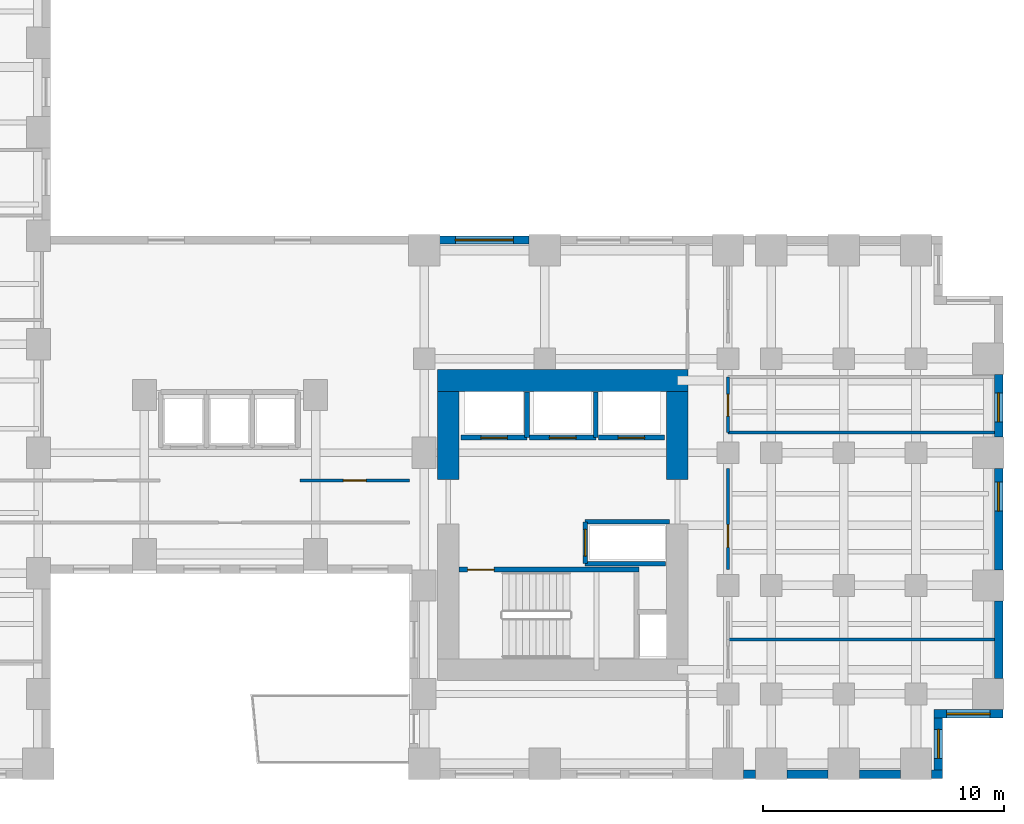
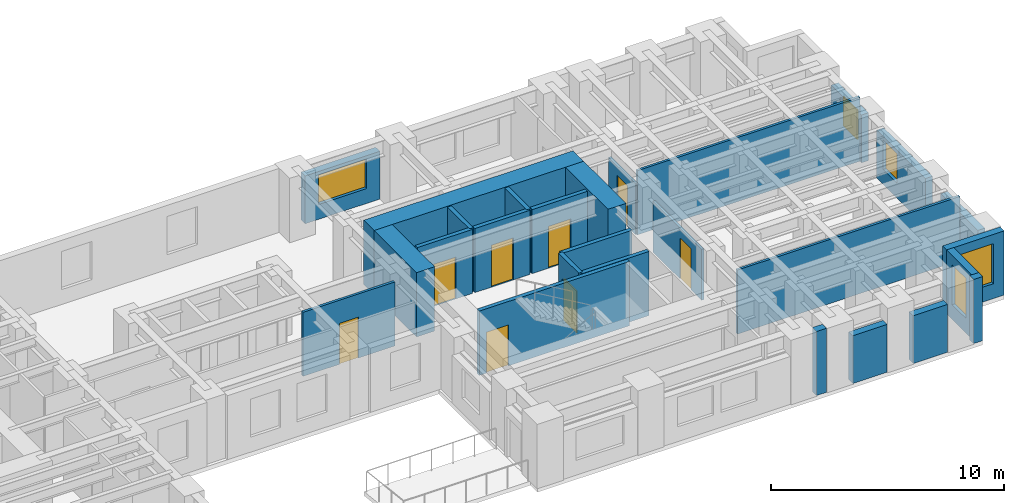
# One storey, part 7 of 12: 27 walls, 8 doors, 5 windows, 13 openings.
"""IFC4 building model written with IfcOpenShell, lengths in metres."""

from ifc_helpers import new_model, si_unit, direction, frame, frame_2d, origin, place, context, subcontext, project, spatial, rectangle, extrude, source, transform, mapped, material, layer, layer_set, type_object, element, fill, save


model = new_model("IFC4")

# Units and contexts
model_context = context("Model", 3, precision=1e-05, world=origin(), true_north=direction((0.0, 1.0)))
body_context = subcontext(model_context, "Body", "Model", "MODEL_VIEW")
ifc_project = project(units=[si_unit("LENGTHUNIT", "METRE"), si_unit("AREAUNIT", "SQUARE_METRE"), si_unit("VOLUMEUNIT", "CUBIC_METRE"), si_unit("PLANEANGLEUNIT", "RADIAN"), si_unit("MASSUNIT", "GRAM", prefix="KILO")], contexts=[model_context])

# Site, building, storey
site_placement = place(None, origin())
site = spatial("IfcSite", under=ifc_project, at=site_placement, CompositionType="ELEMENT")
building_placement = place(site_placement, origin())
building = spatial("IfcBuilding", under=site, at=building_placement, Name="Kharzan Plaza Tower", CompositionType="ELEMENT")
storey_placement = place(building_placement, frame((0.0, 0.0, 33.300048828125)))
storey = spatial("IfcBuildingStorey", under=building, at=storey_placement, Name="L08", CompositionType="ELEMENT", Elevation=33.300048828125)

# Wall, opening, window
ifc_material_1 = material(Name="Concrete C40/50", Category="concrete")
ifc_layer_1 = layer(ifc_material_1, 0.35009765625)
ifc_layer_set_1 = layer_set([ifc_layer_1], Name="Concrete C40/50")
wall_type_1 = type_object("IfcWallType", Name="WL-EXT-MAS-Z1", PredefinedType="SOLIDWALL", material=ifc_layer_set_1)
wall_1_placement = place(storey_placement, frame((56.324951171875, 0.347900390625, 0.0), z_axis=(0.0, 0.0, 1.0), x_axis=(0.0, 1.0, 0.0)))
wall_1 = element("IfcWall", 1, at=wall_1_placement, inside=storey, type_object=wall_type_1, Name="L08 Masonry-Frame Exterior Wall 39", PredefinedType="SOLIDWALL", context=body_context, shape_type="SweptSolid", body=[
    extrude(rectangle(XDim=2.154052734375, YDim=0.35009765625, at=frame_2d((1.0771484375, 0.0))), origin(), (0.0, 0.0, 1.0), 3.364990234375),
])
opening_1_placement = place(wall_1_placement, frame((0.47705078125, 0.0, 0.780029296875)))
opening_1 = element("IfcOpeningElement", 2, at=opening_1_placement, cuts=wall_1, Name="Opening W3", PredefinedType="OPENING", context=body_context, shape_type="SweptSolid", body=[
    extrude(rectangle(XDim=1.199951171875, YDim=2.10009765625, at=frame_2d((0.60009765625, 1.050048828125))), frame((0.0, 0.18505859375, 0.0), z_axis=(0.0, -1.0, 0.0), x_axis=(1.0, 0.0, 0.0)), (0.0, 0.0, 1.0), 0.3701171875),
])
ifc_material_2 = material(Name="Low-E Double Glazing", Category="glass")
window_type_1 = type_object("IfcWindowType", Name="WN-REC-1200x2100", PartitioningType="SINGLE_PANEL", PredefinedType="WINDOW", material=ifc_material_2)
shared_shape_1 = source(origin(), body_context, "Body", "SweptSolid", [
    extrude(rectangle(XDim=1.199951171875, YDim=2.10009765625, at=frame_2d((0.60009765625, 1.050048828125))), frame((0.0, 0.030029296875, 0.0), z_axis=(0.0, -1.0, 0.0), x_axis=(1.0, 0.0, 0.0)), (0.0, 0.0, 1.0), 0.06005859375),
])
window_1_placement = place(opening_1_placement, origin())
window_1 = element("IfcWindow", 3, at=window_1_placement, inside=storey, type_object=window_type_1, Name="L08 Recessed Solar-Control Window 39-1", OverallHeight=2.10009765625, OverallWidth=1.199951171875, PartitioningType="SINGLE_PANEL", PredefinedType="WINDOW", context=body_context, shape_type="MappedRepresentation", body=[
    mapped(shared_shape_1, transform((0.0, 0.0, 0.0), x_axis=(1.0, 0.0, 0.0), y_axis=(0.0, 1.0, 0.0), z_axis=(0.0, 0.0, 1.0))),
])
fill(opening_1, window_1)

wall_2_placement = place(storey_placement, frame((56.14990234375, 2.675048828125, 0.0), z_axis=(0.0, 0.0, 1.0), x_axis=(1.0, 0.0, 0.0)))
wall_2 = element("IfcWall", 4, at=wall_2_placement, inside=storey, type_object=wall_type_1, Name="L08 Masonry-Frame Exterior Wall 40", PredefinedType="SOLIDWALL", context=body_context, shape_type="SweptSolid", body=[
    extrude(rectangle(XDim=2.85009765625, YDim=0.35009765625, at=frame_2d((1.425048828125, 0.0))), origin(), (0.0, 0.0, 1.0), 3.364990234375),
])
opening_2_placement = place(wall_2_placement, frame((0.52490234375, 0.0, 0.780029296875)))
opening_2 = element("IfcOpeningElement", 5, at=opening_2_placement, cuts=wall_2, Name="Opening W1", PredefinedType="OPENING", context=body_context, shape_type="SweptSolid", body=[
    extrude(rectangle(XDim=1.800048828125, YDim=2.10009765625, at=frame_2d((0.89990234375, 1.050048828125))), frame((0.0, 0.18505859375, 0.0), z_axis=(0.0, -1.0, 0.0), x_axis=(1.0, 0.0, 0.0)), (0.0, 0.0, 1.0), 0.3701171875),
])
window_type_2 = type_object("IfcWindowType", Name="WN-REC-1800x2100", PartitioningType="SINGLE_PANEL", PredefinedType="WINDOW", material=ifc_material_2)
shared_shape_2 = source(origin(), body_context, "Body", "SweptSolid", [
    extrude(rectangle(XDim=1.800048828125, YDim=2.10009765625, at=frame_2d((0.89990234375, 1.050048828125))), frame((0.0, 0.030029296875, 0.0), z_axis=(0.0, -1.0, 0.0), x_axis=(1.0, 0.0, 0.0)), (0.0, 0.0, 1.0), 0.06005859375),
])
window_2_placement = place(opening_2_placement, origin())
window_2 = element("IfcWindow", 6, at=window_2_placement, inside=storey, type_object=window_type_2, Name="L08 Recessed Solar-Control Window 40-1", OverallHeight=2.10009765625, OverallWidth=1.800048828125, PartitioningType="SINGLE_PANEL", PredefinedType="WINDOW", context=body_context, shape_type="MappedRepresentation", body=[
    mapped(shared_shape_2, transform((0.0, 0.0, 0.0), x_axis=(1.0, 0.0, 0.0), y_axis=(0.0, 1.0, 0.0), z_axis=(0.0, 0.0, 1.0))),
])
fill(opening_2, window_2)

wall_3_placement = place(storey_placement, frame((58.824951171875, 8.64794921875, 0.0), z_axis=(0.0, 0.0, 1.0), x_axis=(0.0, 1.0, 0.0)))
wall_3 = element("IfcWall", 7, at=wall_3_placement, inside=storey, type_object=wall_type_1, Name="L08 Masonry-Frame Exterior Wall 42", PredefinedType="SOLIDWALL", context=body_context, shape_type="SweptSolid", body=[
    extrude(rectangle(XDim=4.2041015625, YDim=0.35009765625, at=frame_2d((2.10205078125, 0.0))), origin(), (0.0, 0.0, 1.0), 2.510009765625),
])
opening_3_placement = place(wall_3_placement, frame((2.436767578125, 0.0, 0.780029296875)))
opening_3 = element("IfcOpeningElement", 8, at=opening_3_placement, cuts=wall_3, Name="Opening W3", PredefinedType="OPENING", context=body_context, shape_type="SweptSolid", body=[
    extrude(rectangle(XDim=1.199951171875, YDim=1.550048828125, at=frame_2d((0.60009765625, 0.77490234375))), frame((0.0, 0.18505859375, 0.0), z_axis=(0.0, -1.0, 0.0), x_axis=(1.0, 0.0, 0.0)), (0.0, 0.0, 1.0), 0.3701171875),
])
shared_shape_3 = source(origin(), body_context, "Body", "SweptSolid", [
    extrude(rectangle(XDim=1.199951171875, YDim=1.550048828125, at=frame_2d((0.60009765625, 0.77490234375))), frame((0.0, 0.030029296875, 0.0), z_axis=(0.0, -1.0, 0.0), x_axis=(1.0, 0.0, 0.0)), (0.0, 0.0, 1.0), 0.06005859375),
])
window_3_placement = place(opening_3_placement, origin())
window_3 = element("IfcWindow", 9, at=window_3_placement, inside=storey, type_object=window_type_1, Name="L08 Recessed Solar-Control Window 42-1", OverallHeight=1.550048828125, OverallWidth=1.199951171875, PartitioningType="SINGLE_PANEL", PredefinedType="WINDOW", context=body_context, shape_type="MappedRepresentation", body=[
    mapped(shared_shape_3, transform((0.0, 0.0, 0.0), x_axis=(1.0, 0.0, 0.0), y_axis=(0.0, 1.0, 0.0), z_axis=(0.0, 0.0, 1.0))),
])
fill(opening_3, window_3)

wall_4_placement = place(storey_placement, frame((58.824951171875, 14.14794921875, 0.0), z_axis=(0.0, 0.0, 1.0), x_axis=(0.0, 1.0, 0.0)))
wall_4 = element("IfcWall", 10, at=wall_4_placement, inside=storey, type_object=wall_type_1, Name="L08 Masonry-Frame Exterior Wall 43", PredefinedType="SOLIDWALL", context=body_context, shape_type="SweptSolid", body=[
    extrude(rectangle(XDim=2.60400390625, YDim=0.35009765625, at=frame_2d((1.302001953125, 0.0))), origin(), (0.0, 0.0, 1.0), 2.510009765625),
])
opening_4_placement = place(wall_4_placement, frame((0.63330078125, 0.0, 0.780029296875)))
opening_4 = element("IfcOpeningElement", 11, at=opening_4_placement, cuts=wall_4, Name="Opening W3", PredefinedType="OPENING", context=body_context, shape_type="SweptSolid", body=[
    extrude(rectangle(XDim=1.199951171875, YDim=1.550048828125, at=frame_2d((0.60009765625, 0.77490234375))), frame((0.0, 0.18505859375, 0.0), z_axis=(0.0, -1.0, 0.0), x_axis=(1.0, 0.0, 0.0)), (0.0, 0.0, 1.0), 0.3701171875),
])
window_4_placement = place(opening_4_placement, origin())
window_4 = element("IfcWindow", 12, at=window_4_placement, inside=storey, type_object=window_type_1, Name="L08 Recessed Solar-Control Window 43-1", OverallHeight=1.550048828125, OverallWidth=1.199951171875, PartitioningType="SINGLE_PANEL", PredefinedType="WINDOW", context=body_context, shape_type="MappedRepresentation", body=[
    mapped(shared_shape_3, transform((0.0, 0.0, 0.0), x_axis=(1.0, 0.0, 0.0), y_axis=(0.0, 1.0, 0.0), z_axis=(0.0, 0.0, 1.0))),
])
fill(opening_4, window_4)

wall_5_placement = place(storey_placement, frame((39.35205078125, 22.324951171875, 0.0), z_axis=(0.0, 0.0, 1.0), x_axis=(-1.0, 0.0, 0.0)))
wall_5 = element("IfcWall", 13, at=wall_5_placement, inside=storey, type_object=wall_type_1, Name="L08 Masonry-Frame Exterior Wall 52", PredefinedType="SOLIDWALL", context=body_context, shape_type="SweptSolid", body=[
    extrude(rectangle(XDim=3.7041015625, YDim=0.35009765625, at=frame_2d((1.85205078125, 0.0))), origin(), (0.0, 0.0, 1.0), 2.510009765625),
])
opening_5_placement = place(wall_5_placement, frame((0.652099609375, 0.0, 0.780029296875)))
opening_5 = element("IfcOpeningElement", 14, at=opening_5_placement, cuts=wall_5, Name="Opening W2", PredefinedType="OPENING", context=body_context, shape_type="SweptSolid", body=[
    extrude(rectangle(XDim=2.39990234375, YDim=1.550048828125, at=frame_2d((1.199951171875, 0.77490234375))), frame((0.0, 0.18505859375, 0.0), z_axis=(0.0, -1.0, 0.0), x_axis=(1.0, 0.0, 0.0)), (0.0, 0.0, 1.0), 0.3701171875),
])
window_type_3 = type_object("IfcWindowType", Name="WN-REC-2400x2100", PartitioningType="SINGLE_PANEL", PredefinedType="WINDOW", material=ifc_material_2)
shared_shape_4 = source(origin(), body_context, "Body", "SweptSolid", [
    extrude(rectangle(XDim=2.39990234375, YDim=1.550048828125, at=frame_2d((1.199951171875, 0.77490234375))), frame((0.0, 0.030029296875, 0.0), z_axis=(0.0, -1.0, 0.0), x_axis=(1.0, 0.0, 0.0)), (0.0, 0.0, 1.0), 0.06005859375),
])
window_5_placement = place(opening_5_placement, origin())
window_5 = element("IfcWindow", 15, at=window_5_placement, inside=storey, type_object=window_type_3, Name="L08 Wide Recessed Solar-Control Window 52-1", OverallHeight=1.550048828125, OverallWidth=2.39990234375, PartitioningType="SINGLE_PANEL", PredefinedType="WINDOW", context=body_context, shape_type="MappedRepresentation", body=[
    mapped(shared_shape_4, transform((0.0, 0.0, 0.0), x_axis=(1.0, 0.0, 0.0), y_axis=(0.0, 1.0, 0.0), z_axis=(0.0, 0.0, 1.0))),
])
fill(opening_5, window_5)

# Wall, opening, door
ifc_material_3 = material(Name="Fire-Rated Gypsum Board Partition", Category="gypsum")
ifc_layer_2 = layer(ifc_material_3, 0.125)
ifc_layer_set_2 = layer_set([ifc_layer_2], Name="Fire-Rated Gypsum Board Partition")
wall_type_2 = type_object("IfcWallType", Name="WL-INT-PART-125", PredefinedType="PARTITIONING", material=ifc_layer_set_2)
wall_6_placement = place(storey_placement, frame((47.60009765625, 8.659912109375, 0.0), z_axis=(0.0, 0.0, 1.0), x_axis=(0.0, 1.0, 0.0)))
wall_6 = element("IfcWall", 16, at=wall_6_placement, inside=storey, type_object=wall_type_2, Name="L08 Interior Partition SH-B3W1-S2", PredefinedType="PARTITIONING", context=body_context, shape_type="SweptSolid", body=[
    extrude(rectangle(XDim=4.18017578125, YDim=0.125, at=frame_2d((2.090087890625, 0.0))), origin(), (0.0, 0.0, 1.0), 2.669921875),
])
opening_6_placement = place(wall_6_placement, frame((0.9150390625, 0.0, 0.0)))
opening_6 = element("IfcOpeningElement", 17, at=opening_6_placement, cuts=wall_6, Name="Opening OD1", PredefinedType="OPENING", context=body_context, shape_type="SweptSolid", body=[
    extrude(rectangle(XDim=0.949951171875, YDim=2.14990234375, at=frame_2d((0.47509765625, 1.074951171875))), frame((0.0, 0.072509765625, 0.0), z_axis=(0.0, -1.0, 0.0), x_axis=(1.0, 0.0, 0.0)), (0.0, 0.0, 1.0), 0.14501953125),
])
ifc_material_4 = material(Name="Acoustic Solid-Core Stained Oak", Category="timber")
door_type_1 = type_object("IfcDoorType", Name="DR-OFF-SINGLE", OperationType="NOTDEFINED", PredefinedType="DOOR", material=ifc_material_4)
shared_shape_5 = source(origin(), body_context, "Body", "SweptSolid", [
    extrude(rectangle(XDim=0.949951171875, YDim=2.14990234375, at=frame_2d((0.47509765625, 1.074951171875))), frame((0.0, 0.02490234375, 0.0), z_axis=(0.0, -1.0, 0.0), x_axis=(1.0, 0.0, 0.0)), (0.0, 0.0, 1.0), 0.050048828125),
])
door_1_placement = place(opening_6_placement, origin())
door_1 = element("IfcDoor", 18, at=door_1_placement, inside=storey, type_object=door_type_1, Name="L08 Wing B Office 2 Door", OperationType="SINGLE_SWING_RIGHT", OverallHeight=2.14990234375, OverallWidth=0.949951171875, PredefinedType="DOOR", context=body_context, shape_type="MappedRepresentation", body=[
    mapped(shared_shape_5, transform((0.0, 0.0, 0.0), x_axis=(1.0, 0.0, 0.0), y_axis=(0.0, 1.0, 0.0), z_axis=(0.0, 0.0, 1.0))),
])
fill(opening_6, door_1)

wall_7_placement = place(storey_placement, frame((47.60009765625, 14.35009765625, 0.0), z_axis=(0.0, 0.0, 1.0), x_axis=(0.0, 1.0, 0.0)))
wall_7 = element("IfcWall", 19, at=wall_7_placement, inside=storey, type_object=wall_type_2, Name="L08 Interior Partition SH-B3WC", PredefinedType="PARTITIONING", context=body_context, shape_type="SweptSolid", body=[
    extrude(rectangle(XDim=2.2998046875, YDim=0.125, at=frame_2d((1.14990234375, 0.0))), origin(), (0.0, 0.0, 1.0), 2.669921875),
])
opening_7_placement = place(wall_7_placement, frame((0.675048828125, 0.0, 0.0)))
opening_7 = element("IfcOpeningElement", 20, at=opening_7_placement, cuts=wall_7, Name="Opening WD1", PredefinedType="OPENING", context=body_context, shape_type="SweptSolid", body=[
    extrude(rectangle(XDim=0.89990234375, YDim=2.14990234375, at=frame_2d((0.449951171875, 1.074951171875))), frame((0.0, 0.072509765625, 0.0), z_axis=(0.0, -1.0, 0.0), x_axis=(1.0, 0.0, 0.0)), (0.0, 0.0, 1.0), 0.14501953125),
])
ifc_material_5 = material(Name="Moisture-Resistant Fire-Rated Laminate", Category="timber")
door_type_2 = type_object("IfcDoorType", Name="DR-WC-900", OperationType="NOTDEFINED", PredefinedType="DOOR", material=ifc_material_5)
shared_shape_6 = source(origin(), body_context, "Body", "SweptSolid", [
    extrude(rectangle(XDim=0.89990234375, YDim=2.14990234375, at=frame_2d((0.449951171875, 1.074951171875))), frame((0.0, 0.02490234375, 0.0), z_axis=(0.0, -1.0, 0.0), x_axis=(1.0, 0.0, 0.0)), (0.0, 0.0, 1.0), 0.050048828125),
])
door_2_placement = place(opening_7_placement, origin())
door_2 = element("IfcDoor", 21, at=door_2_placement, inside=storey, type_object=door_type_2, Name="L08 Wing B Washroom Door", OperationType="SINGLE_SWING_RIGHT", OverallHeight=2.14990234375, OverallWidth=0.89990234375, PredefinedType="DOOR", context=body_context, shape_type="MappedRepresentation", body=[
    mapped(shared_shape_6, transform((0.0, 0.0, 0.0), x_axis=(1.0, 0.0, 0.0), y_axis=(0.0, 1.0, 0.0), z_axis=(0.0, 0.0, 1.0))),
])
fill(opening_7, door_2)

wall_8_placement = place(storey_placement, frame((29.85009765625, 12.35009765625, 0.0), z_axis=(0.0, 0.0, 1.0), x_axis=(1.0, 0.0, 0.0)))
wall_8 = element("IfcWall", 22, at=wall_8_placement, inside=storey, type_object=wall_type_2, Name="L08 Interior Partition SH-SPNE1", PredefinedType="PARTITIONING", context=body_context, shape_type="SweptSolid", body=[
    extrude(rectangle(XDim=4.5498046875, YDim=0.125, at=frame_2d((2.27490234375, 0.0))), origin(), (0.0, 0.0, 1.0), 3.364990234375),
])
opening_8_placement = place(wall_8_placement, frame((1.800048828125, 0.0, 0.0)))
opening_8 = element("IfcOpeningElement", 23, at=opening_8_placement, cuts=wall_8, Name="Opening OD1", PredefinedType="OPENING", context=body_context, shape_type="SweptSolid", body=[
    extrude(rectangle(XDim=0.949951171875, YDim=2.14990234375, at=frame_2d((0.47509765625, 1.074951171875))), frame((0.0, 0.072509765625, 0.0), z_axis=(0.0, -1.0, 0.0), x_axis=(1.0, 0.0, 0.0)), (0.0, 0.0, 1.0), 0.14501953125),
])
door_3_placement = place(opening_8_placement, origin())
door_3 = element("IfcDoor", 24, at=door_3_placement, inside=storey, type_object=door_type_1, Name="L08 North-East Spine Door", OperationType="SINGLE_SWING_LEFT", OverallHeight=2.14990234375, OverallWidth=0.949951171875, PredefinedType="DOOR", context=body_context, shape_type="MappedRepresentation", body=[
    mapped(shared_shape_5, transform((0.0, 0.0, 0.0), x_axis=(1.0, 0.0, 0.0), y_axis=(0.0, 1.0, 0.0), z_axis=(0.0, 0.0, 1.0))),
])
fill(opening_8, door_3)

ifc_layer_3 = layer(ifc_material_1, 0.199951171875)
ifc_layer_set_3 = layer_set([ifc_layer_3], Name="Concrete C40/50")
wall_type_3 = type_object("IfcWallType", Name="WL-INT-SHAFT-200", PredefinedType="PARTITIONING", material=ifc_layer_set_3)
wall_9_placement = place(storey_placement, frame((36.530029296875, 14.1298828125, 0.0), z_axis=(0.0, 0.0, 1.0), x_axis=(1.0, 0.0, 0.0)))
wall_9 = element("IfcWall", 25, at=wall_9_placement, inside=storey, type_object=wall_type_3, Name="L08 Interior Partition SHF-PL-L1-S", PredefinedType="PARTITIONING", context=body_context, shape_type="SweptSolid", body=[
    extrude(rectangle(XDim=2.739990234375, YDim=0.199951171875, at=frame_2d((1.3701171875, 0.0))), origin(), (0.0, 0.0, 1.0), 3.364990234375),
])
opening_9_placement = place(wall_9_placement, frame((0.820068359375, 0.0, 0.0)))
opening_9 = element("IfcOpeningElement", 26, at=opening_9_placement, cuts=wall_9, Name="Opening LD", PredefinedType="OPENING", context=body_context, shape_type="SweptSolid", body=[
    extrude(rectangle(XDim=1.10009765625, YDim=2.199951171875, at=frame_2d((0.550048828125, 1.10009765625))), frame((0.0, 0.10986328125, 0.0), z_axis=(0.0, -1.0, 0.0), x_axis=(1.0, 0.0, 0.0)), (0.0, 0.0, 1.0), 0.219970703125),
])
ifc_material_6 = material(Name="Brushed Stainless Steel", Category="steel")
door_type_3 = type_object("IfcDoorType", Name="DR-LIFT-SLIDE", OperationType="SLIDING_TO_LEFT", PredefinedType="DOOR", material=ifc_material_6)
shared_shape_7 = source(origin(), body_context, "Body", "SweptSolid", [
    extrude(rectangle(XDim=1.10009765625, YDim=2.199951171875, at=frame_2d((0.550048828125, 1.10009765625))), frame((0.0, 0.02490234375, 0.0), z_axis=(0.0, -1.0, 0.0), x_axis=(1.0, 0.0, 0.0)), (0.0, 0.0, 1.0), 0.050048828125),
])
door_4_placement = place(opening_9_placement, origin())
door_4 = element("IfcDoor", 27, at=door_4_placement, inside=storey, type_object=door_type_3, Name="L08 Low-Rise Passenger Lift PL-L1 Sliding Landing Door", OperationType="SLIDING_TO_LEFT", OverallHeight=2.199951171875, OverallWidth=1.10009765625, PredefinedType="DOOR", context=body_context, shape_type="MappedRepresentation", body=[
    mapped(shared_shape_7, transform((0.0, 0.0, 0.0), x_axis=(1.0, 0.0, 0.0), y_axis=(0.0, 1.0, 0.0), z_axis=(0.0, 0.0, 1.0))),
])
fill(opening_9, door_4)

wall_10_placement = place(storey_placement, frame((39.3798828125, 14.1298828125, 0.0), z_axis=(0.0, 0.0, 1.0), x_axis=(1.0, 0.0, 0.0)))
wall_10 = element("IfcWall", 28, at=wall_10_placement, inside=storey, type_object=wall_type_3, Name="L08 Interior Partition SHF-PL-L2-S", PredefinedType="PARTITIONING", context=body_context, shape_type="SweptSolid", body=[
    extrude(rectangle(XDim=2.740234375, YDim=0.199951171875, at=frame_2d((1.3701171875, 0.0))), origin(), (0.0, 0.0, 1.0), 3.364990234375),
])
opening_10_placement = place(wall_10_placement, frame((0.820068359375, 0.0, 0.0)))
opening_10 = element("IfcOpeningElement", 29, at=opening_10_placement, cuts=wall_10, Name="Opening LD", PredefinedType="OPENING", context=body_context, shape_type="SweptSolid", body=[
    extrude(rectangle(XDim=1.10009765625, YDim=2.199951171875, at=frame_2d((0.550048828125, 1.10009765625))), frame((0.0, 0.10986328125, 0.0), z_axis=(0.0, -1.0, 0.0), x_axis=(1.0, 0.0, 0.0)), (0.0, 0.0, 1.0), 0.219970703125),
])
door_5_placement = place(opening_10_placement, origin())
door_5 = element("IfcDoor", 30, at=door_5_placement, inside=storey, type_object=door_type_3, Name="L08 Low-Rise Passenger Lift PL-L2 Sliding Landing Door", OperationType="SLIDING_TO_LEFT", OverallHeight=2.199951171875, OverallWidth=1.10009765625, PredefinedType="DOOR", context=body_context, shape_type="MappedRepresentation", body=[
    mapped(shared_shape_7, transform((0.0, 0.0, 0.0), x_axis=(1.0, 0.0, 0.0), y_axis=(0.0, 1.0, 0.0), z_axis=(0.0, 0.0, 1.0))),
])
fill(opening_10, door_5)

wall_11_placement = place(storey_placement, frame((42.22998046875, 14.1298828125, 0.0), z_axis=(0.0, 0.0, 1.0), x_axis=(1.0, 0.0, 0.0)))
wall_11 = element("IfcWall", 31, at=wall_11_placement, inside=storey, type_object=wall_type_3, Name="L08 Interior Partition SHF-PL-L3-S", PredefinedType="PARTITIONING", context=body_context, shape_type="SweptSolid", body=[
    extrude(rectangle(XDim=2.739990234375, YDim=0.199951171875, at=frame_2d((1.3701171875, 0.0))), origin(), (0.0, 0.0, 1.0), 3.364990234375),
])
opening_11_placement = place(wall_11_placement, frame((0.820068359375, 0.0, 0.0)))
opening_11 = element("IfcOpeningElement", 32, at=opening_11_placement, cuts=wall_11, Name="Opening LD", PredefinedType="OPENING", context=body_context, shape_type="SweptSolid", body=[
    extrude(rectangle(XDim=1.10009765625, YDim=2.199951171875, at=frame_2d((0.550048828125, 1.10009765625))), frame((0.0, 0.10986328125, 0.0), z_axis=(0.0, -1.0, 0.0), x_axis=(1.0, 0.0, 0.0)), (0.0, 0.0, 1.0), 0.219970703125),
])
door_6_placement = place(opening_11_placement, origin())
door_6 = element("IfcDoor", 33, at=door_6_placement, inside=storey, type_object=door_type_3, Name="L08 Low-Rise Passenger Lift PL-L3 Sliding Landing Door", OperationType="SLIDING_TO_LEFT", OverallHeight=2.199951171875, OverallWidth=1.10009765625, PredefinedType="DOOR", context=body_context, shape_type="MappedRepresentation", body=[
    mapped(shared_shape_7, transform((0.0, 0.0, 0.0), x_axis=(1.0, 0.0, 0.0), y_axis=(0.0, 1.0, 0.0), z_axis=(0.0, 0.0, 1.0))),
])
fill(opening_11, door_6)

wall_12_placement = place(storey_placement, frame((41.679931640625, 8.89990234375, 0.0), z_axis=(0.0, 0.0, 1.0), x_axis=(0.0, 1.0, 0.0)))
wall_12 = element("IfcWall", 34, at=wall_12_placement, inside=storey, type_object=wall_type_3, Name="L08 Interior Partition SHF-SVL-2-W", PredefinedType="PARTITIONING", context=body_context, shape_type="SweptSolid", body=[
    extrude(rectangle(XDim=1.739990234375, YDim=0.199951171875, at=frame_2d((0.8701171875, 0.0))), origin(), (0.0, 0.0, 1.0), 3.364990234375),
])
opening_12_placement = place(wall_12_placement, frame((0.320068359375, 0.0, 0.0)))
opening_12 = element("IfcOpeningElement", 35, at=opening_12_placement, cuts=wall_12, Name="Opening LD", PredefinedType="OPENING", context=body_context, shape_type="SweptSolid", body=[
    extrude(rectangle(XDim=1.10009765625, YDim=2.199951171875, at=frame_2d((0.550048828125, 1.10009765625))), frame((0.0, 0.10986328125, 0.0), z_axis=(0.0, -1.0, 0.0), x_axis=(1.0, 0.0, 0.0)), (0.0, 0.0, 1.0), 0.219970703125),
])
door_7_placement = place(opening_12_placement, origin())
door_7 = element("IfcDoor", 36, at=door_7_placement, inside=storey, type_object=door_type_3, Name="L08 Service Lift SVL-2 Sliding Landing Door", OperationType="SLIDING_TO_LEFT", OverallHeight=2.199951171875, OverallWidth=1.10009765625, PredefinedType="DOOR", context=body_context, shape_type="MappedRepresentation", body=[
    mapped(shared_shape_7, transform((0.0, 0.0, 0.0), x_axis=(1.0, 0.0, 0.0), y_axis=(0.0, 1.0, 0.0), z_axis=(0.0, 0.0, 1.0))),
])
fill(opening_12, door_7)

ifc_material_7 = material(Name="Concrete C50/60", Category="concrete")
ifc_layer_4 = layer(ifc_material_7, 0.199951171875)
ifc_layer_set_4 = layer_set([ifc_layer_4], Name="Concrete C50/60")
wall_type_4 = type_object("IfcWallType", Name="WL-SHAFT-RC200", PredefinedType="SHEAR", material=ifc_layer_set_4)
wall_13_placement = place(storey_placement, frame((36.451904296875, 8.655029296875, 0.0), z_axis=(0.0, 0.0, 1.0), x_axis=(1.0, 0.0, 0.0)))
wall_13 = element("IfcWall", 37, at=wall_13_placement, inside=storey, type_object=wall_type_4, Name="L08 Stair ST-3 North RC Shaft Wall", PredefinedType="SHEAR", context=body_context, shape_type="SweptSolid", body=[
    extrude(rectangle(XDim=7.453125, YDim=0.199951171875, at=frame_2d((3.7265625, 0.0))), origin(), (0.0, 0.0, 1.0), 3.3798828125),
])
opening_13_placement = place(wall_13_placement, frame((0.35009765625, 0.0, 0.0)))
opening_13 = element("IfcOpeningElement", 38, at=opening_13_placement, cuts=wall_13, Name="Opening SD1", PredefinedType="OPENING", context=body_context, shape_type="SweptSolid", body=[
    extrude(rectangle(XDim=1.10009765625, YDim=2.14990234375, at=frame_2d((0.550048828125, 1.074951171875))), frame((0.0, 0.10986328125, 0.0), z_axis=(0.0, -1.0, 0.0), x_axis=(1.0, 0.0, 0.0)), (0.0, 0.0, 1.0), 0.219970703125),
])
ifc_material_8 = material(Name="Fire-Rated Hollow Galvanized Steel", Category="steel")
door_type_4 = type_object("IfcDoorType", Name="DR-STAIR-FD120", OperationType="NOTDEFINED", PredefinedType="DOOR", material=ifc_material_8)
shared_shape_8 = source(origin(), body_context, "Body", "SweptSolid", [
    extrude(rectangle(XDim=1.10009765625, YDim=2.14990234375, at=frame_2d((0.550048828125, 1.074951171875))), frame((0.0, 0.02490234375, 0.0), z_axis=(0.0, -1.0, 0.0), x_axis=(1.0, 0.0, 0.0)), (0.0, 0.0, 1.0), 0.050048828125),
])
door_8_placement = place(opening_13_placement, origin())
door_8 = element("IfcDoor", 39, at=door_8_placement, inside=storey, type_object=door_type_4, Name="L08 Stair ST-3 Fire Exit Door", OperationType="SINGLE_SWING_LEFT", OverallHeight=2.14990234375, OverallWidth=1.10009765625, PredefinedType="DOOR", context=body_context, shape_type="MappedRepresentation", body=[
    mapped(shared_shape_8, transform((0.0, 0.0, 0.0), x_axis=(1.0, 0.0, 0.0), y_axis=(0.0, 1.0, 0.0), z_axis=(0.0, 0.0, 1.0))),
])
fill(opening_13, door_8)

# Walls
ifc_material_9 = material(Name="Concrete C60/75", Category="concrete")
ifc_layer_5 = layer(ifc_material_9, 0.89990234375)
ifc_layer_set_5 = layer_set([ifc_layer_5], Name="Concrete C60/75")
wall_type_5 = type_object("IfcWallType", Name="WL-CORE-900", PredefinedType="SHEAR", material=ifc_layer_set_5)
shared_shape_9 = source(origin(), body_context, "Body", "SweptSolid", [
    extrude(rectangle(XDim=3.650146484375, YDim=0.89990234375, at=frame_2d((1.8251953125, 0.0))), origin(), (0.0, 0.0, 1.0), 3.3798828125),
])
for number, where, z_axis, x_axis, name in (
    (40, (45.5, 12.39990234375, 0.0), (0.0, 0.0, 1.0), (0.0, 1.0, 0.0), "L08 CORE-B east shear pier 2"),
    (41, (36.0, 12.39990234375, 0.0), (0.0, 0.0, 1.0), (0.0, 1.0, 0.0), "L08 CORE-B west shear pier 2"),
):
    element("IfcWall", number, at=place(storey_placement, frame(where, z_axis=z_axis, x_axis=x_axis)), inside=storey, type_object=wall_type_5, Name=name, PredefinedType="SHEAR", context=body_context, shape_type="MappedRepresentation", body=[
        mapped(shared_shape_9, transform((0.0, 0.0, 0.0), x_axis=(1.0, 0.0, 0.0), y_axis=(0.0, 1.0, 0.0), z_axis=(0.0, 0.0, 1.0))),
    ])
shared_shape_10 = source(origin(), body_context, "Body", "SweptSolid", [
    extrude(rectangle(XDim=10.39990234375, YDim=0.89990234375, at=frame_2d((5.199951171875, 0.0))), origin(), (0.0, 0.0, 1.0), 3.3798828125),
])
wall_14_placement = place(storey_placement, frame((35.550048828125, 16.5, 0.0), z_axis=(0.0, 0.0, 1.0), x_axis=(1.0, 0.0, 0.0)))
element("IfcWall", 42, at=wall_14_placement, inside=storey, type_object=wall_type_5, Name="L08 CORE-B north RC shear wall", PredefinedType="SHEAR", context=body_context, shape_type="MappedRepresentation", body=[
    mapped(shared_shape_10, transform((0.0, 0.0, 0.0), x_axis=(1.0, 0.0, 0.0), y_axis=(0.0, 1.0, 0.0), z_axis=(0.0, 0.0, 1.0))),
])
shared_shape_11 = source(origin(), body_context, "Body", "SweptSolid", [
    extrude(rectangle(XDim=0.50390625, YDim=0.35009765625, at=frame_2d((0.251953125, 0.0))), origin(), (0.0, 0.0, 1.0), 3.364990234375),
])
wall_15_placement = place(storey_placement, frame((48.248046875, 0.175048828125, 0.0), z_axis=(0.0, 0.0, 1.0), x_axis=(1.0, 0.0, 0.0)))
element("IfcWall", 43, at=wall_15_placement, inside=storey, type_object=wall_type_1, Name="L08 Masonry-Frame Exterior Wall 35", PredefinedType="SOLIDWALL", context=body_context, shape_type="MappedRepresentation", body=[
    mapped(shared_shape_11, transform((0.0, 0.0, 0.0), x_axis=(1.0, 0.0, 0.0), y_axis=(0.0, 1.0, 0.0), z_axis=(0.0, 0.0, 1.0))),
])
shared_shape_12 = source(origin(), body_context, "Body", "SweptSolid", [
    extrude(rectangle(XDim=1.703857421875, YDim=0.35009765625, at=frame_2d((0.85205078125, 0.0))), origin(), (0.0, 0.0, 1.0), 2.510009765625),
])
for number, where, z_axis, x_axis, name in (
    (44, (50.048095703125, 0.175048828125, 0.0), (0.0, 0.0, 1.0), (1.0, 0.0, 0.0), "L08 Masonry-Frame Exterior Wall 36"),
    (45, (53.048095703125, 0.175048828125, 0.0), (0.0, 0.0, 1.0), (1.0, 0.0, 0.0), "L08 Masonry-Frame Exterior Wall 37"),
):
    element("IfcWall", number, at=place(storey_placement, frame(where, z_axis=z_axis, x_axis=x_axis)), inside=storey, type_object=wall_type_1, Name=name, PredefinedType="SOLIDWALL", context=body_context, shape_type="MappedRepresentation", body=[
        mapped(shared_shape_12, transform((0.0, 0.0, 0.0), x_axis=(1.0, 0.0, 0.0), y_axis=(0.0, 1.0, 0.0), z_axis=(0.0, 0.0, 1.0))),
    ])
shared_shape_13 = source(origin(), body_context, "Body", "SweptSolid", [
    extrude(rectangle(XDim=0.451904296875, YDim=0.35009765625, at=frame_2d((0.22607421875, 0.0))), origin(), (0.0, 0.0, 1.0), 3.364990234375),
])
wall_16_placement = place(storey_placement, frame((56.048095703125, 0.175048828125, 0.0), z_axis=(0.0, 0.0, 1.0), x_axis=(1.0, 0.0, 0.0)))
element("IfcWall", 46, at=wall_16_placement, inside=storey, type_object=wall_type_1, Name="L08 Masonry-Frame Exterior Wall 38", PredefinedType="SOLIDWALL", context=body_context, shape_type="MappedRepresentation", body=[
    mapped(shared_shape_13, transform((0.0, 0.0, 0.0), x_axis=(1.0, 0.0, 0.0), y_axis=(0.0, 1.0, 0.0), z_axis=(0.0, 0.0, 1.0))),
])
shared_shape_14 = source(origin(), body_context, "Body", "SweptSolid", [
    extrude(rectangle(XDim=3.2041015625, YDim=0.35009765625, at=frame_2d((1.60205078125, 0.0))), origin(), (0.0, 0.0, 1.0), 2.510009765625),
])
wall_17_placement = place(storey_placement, frame((58.824951171875, 4.14794921875, 0.0), z_axis=(0.0, 0.0, 1.0), x_axis=(0.0, 1.0, 0.0)))
element("IfcWall", 47, at=wall_17_placement, inside=storey, type_object=wall_type_1, Name="L08 Masonry-Frame Exterior Wall 41", PredefinedType="SOLIDWALL", context=body_context, shape_type="MappedRepresentation", body=[
    mapped(shared_shape_14, transform((0.0, 0.0, 0.0), x_axis=(1.0, 0.0, 0.0), y_axis=(0.0, 1.0, 0.0), z_axis=(0.0, 0.0, 1.0))),
])
shared_shape_15 = source(origin(), body_context, "Body", "SweptSolid", [
    extrude(rectangle(XDim=11.0478515625, YDim=0.125, at=frame_2d((5.52392578125, 0.0))), origin(), (0.0, 0.0, 1.0), 3.364990234375),
])
for number, where, z_axis, x_axis, name in (
    (48, (47.60009765625, 14.35009765625, 0.0), (0.0, 0.0, 1.0), (1.0, 0.0, 0.0), "L08 Interior Partition SH-B3H-143"),
    (49, (47.60009765625, 5.75, 0.0), (0.0, 0.0, 1.0), (1.0, 0.0, 0.0), "L08 Interior Partition SH-B3H-57"),
):
    element("IfcWall", number, at=place(storey_placement, frame(where, z_axis=z_axis, x_axis=x_axis)), inside=storey, type_object=wall_type_2, Name=name, PredefinedType="PARTITIONING", context=body_context, shape_type="MappedRepresentation", body=[
        mapped(shared_shape_15, transform((0.0, 0.0, 0.0), x_axis=(1.0, 0.0, 0.0), y_axis=(0.0, 1.0, 0.0), z_axis=(0.0, 0.0, 1.0))),
    ])
shared_shape_16 = source(origin(), body_context, "Body", "SweptSolid", [
    extrude(rectangle(XDim=1.89013671875, YDim=0.199951171875, at=frame_2d((0.945068359375, 0.0))), origin(), (0.0, 0.0, 1.0), 3.364990234375),
])
for number, where, z_axis, x_axis, name in (
    (50, (39.27001953125, 14.1298828125, 0.0), (0.0, 0.0, 1.0), (0.0, 1.0, 0.0), "L08 Interior Partition SHF-PL-L1-E"),
    (51, (42.1201171875, 14.1298828125, 0.0), (0.0, 0.0, 1.0), (0.0, 1.0, 0.0), "L08 Interior Partition SHF-PL-L2-E"),
):
    element("IfcWall", number, at=place(storey_placement, frame(where, z_axis=z_axis, x_axis=x_axis)), inside=storey, type_object=wall_type_3, Name=name, PredefinedType="PARTITIONING", context=body_context, shape_type="MappedRepresentation", body=[
        mapped(shared_shape_16, transform((0.0, 0.0, 0.0), x_axis=(1.0, 0.0, 0.0), y_axis=(0.0, 1.0, 0.0), z_axis=(0.0, 0.0, 1.0))),
    ])
shared_shape_17 = source(origin(), body_context, "Body", "SweptSolid", [
    extrude(rectangle(XDim=3.489990234375, YDim=0.199951171875, at=frame_2d((1.7451171875, 0.0))), origin(), (0.0, 0.0, 1.0), 3.364990234375),
])
wall_18_placement = place(storey_placement, frame((41.679931640625, 10.639892578125, 0.0), z_axis=(0.0, 0.0, 1.0), x_axis=(1.0, 0.0, 0.0)))
element("IfcWall", 52, at=wall_18_placement, inside=storey, type_object=wall_type_3, Name="L08 Interior Partition SHF-SVL-2-N", PredefinedType="PARTITIONING", context=body_context, shape_type="MappedRepresentation", body=[
    mapped(shared_shape_17, transform((0.0, 0.0, 0.0), x_axis=(1.0, 0.0, 0.0), y_axis=(0.0, 1.0, 0.0), z_axis=(0.0, 0.0, 1.0))),
])
shared_shape_18 = source(origin(), body_context, "Body", "SweptSolid", [
    extrude(rectangle(XDim=3.340087890625, YDim=0.199951171875, at=frame_2d((1.669921875, 0.0))), origin(), (0.0, 0.0, 1.0), 3.364990234375),
])
wall_19_placement = place(storey_placement, frame((41.679931640625, 8.89990234375, 0.0), z_axis=(0.0, 0.0, 1.0), x_axis=(1.0, 0.0, 0.0)))
element("IfcWall", 53, at=wall_19_placement, inside=storey, type_object=wall_type_3, Name="L08 Interior Partition SHF-SVL-2-S", PredefinedType="PARTITIONING", context=body_context, shape_type="MappedRepresentation", body=[
    mapped(shared_shape_18, transform((0.0, 0.0, 0.0), x_axis=(1.0, 0.0, 0.0), y_axis=(0.0, 1.0, 0.0), z_axis=(0.0, 0.0, 1.0))),
])

save(model, "model.ifc")
